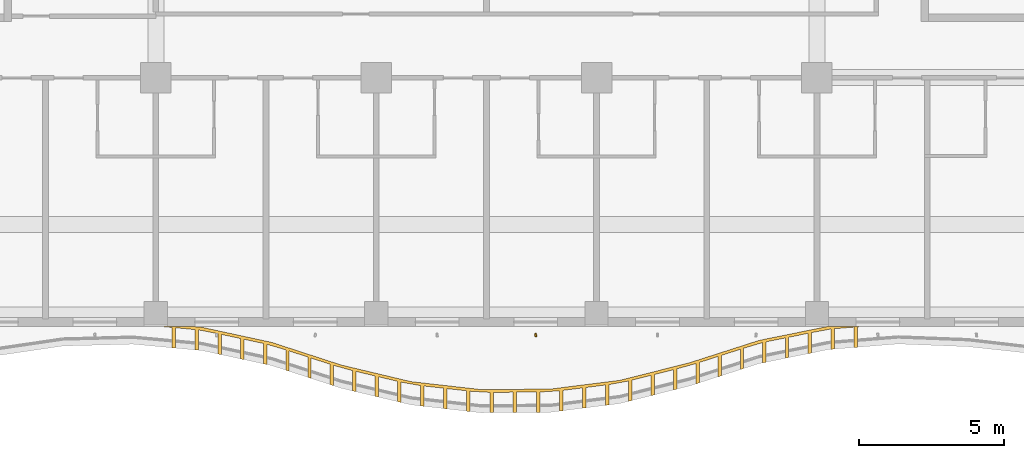
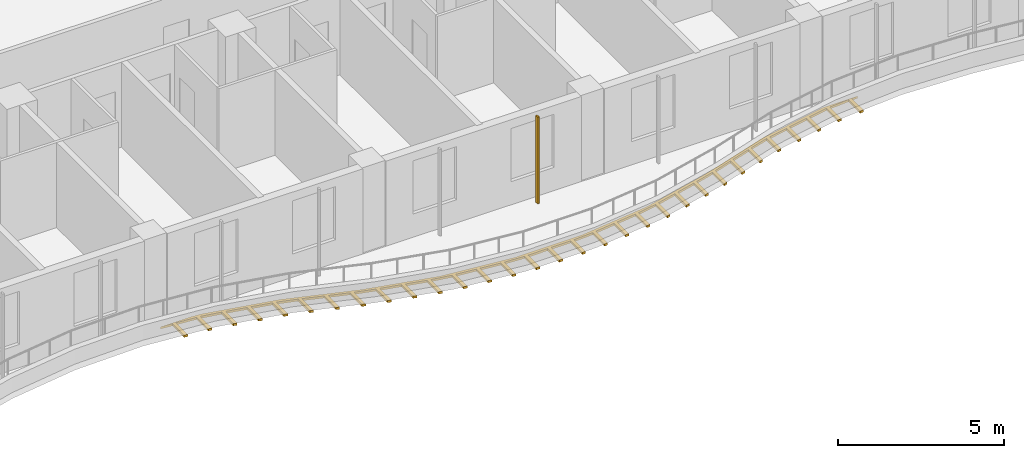
# One storey, part 16 of 22: 2 shading devices.
"""IFC4 building model written with IfcOpenShell, lengths in metres."""

from ifc_helpers import new_model, si_unit, direction, frame, origin, origin_2d, place, context, subcontext, project, spatial, polyline, rectangle, outline, extrude, source, transform, mapped, material, layer, layer_set, material_profile, profile_set, type_object, element, save


model = new_model("IFC4")

# Units and contexts
model_context = context("Model", 3, precision=1e-05, world=origin(), true_north=direction((0.0, 1.0)))
body_context = subcontext(model_context, "Body", "Model", "MODEL_VIEW")
ifc_project = project(units=[si_unit("LENGTHUNIT", "METRE"), si_unit("AREAUNIT", "SQUARE_METRE"), si_unit("VOLUMEUNIT", "CUBIC_METRE"), si_unit("PLANEANGLEUNIT", "RADIAN"), si_unit("MASSUNIT", "GRAM", prefix="KILO")], contexts=[model_context])

# Site, building, storey
site_placement = place(None, origin())
site = spatial("IfcSite", under=ifc_project, at=site_placement, CompositionType="ELEMENT")
building_placement = place(site_placement, origin())
building = spatial("IfcBuilding", under=site, at=building_placement, Name="Kilnfold Tower and Market Hall", CompositionType="ELEMENT")
storey_placement = place(building_placement, frame((0.0, 0.0, 171.89990234375)))
storey = spatial("IfcBuildingStorey", under=building, at=storey_placement, Name="L40", CompositionType="ELEMENT", Elevation=171.89990234375)

# Shading devices
ifc_material_1 = material(Name="Terracotta", Category="masonry")
ifc_material_profile = material_profile(ifc_material_1, rectangle(XDim=0.06005859375, YDim=0.1201171875, at=origin_2d()), Name="BAG 60x120")
ifc_profile_set = profile_set([ifc_material_profile], Name="Terracotta")
shading_device_type_1 = type_object("IfcShadingDeviceType", Name="BAGUETTE", PredefinedType="USERDEFINED", material=ifc_profile_set)
shared_shape_1 = source(origin(), body_context, "Body", "SweptSolid", [
    extrude(rectangle(XDim=0.06005859375, YDim=0.1201171875, at=origin_2d()), origin(), (0.0, 0.0, 1.0), 3.18017578125),
])
shading_device_1_placement = place(storey_placement, frame((4.4873046875, -26.550048828125, 0.0), z_axis=(0.0, 0.0, 1.0), x_axis=(0.990678783999, 0.136218746634, 0.0)))
element("IfcShadingDevice", 1, at=shading_device_1_placement, inside=storey, type_object=shading_device_type_1, Name="Terracotta baguette L40 S", ObjectType="BAGUETTE", PredefinedType="USERDEFINED", context=body_context, shape_type="MappedRepresentation", body=[
    mapped(shared_shape_1, transform((0.0, 0.0, 0.0))),
])
ifc_material_2 = material(Name="Bronze anodised aluminium", Category="aluminium")
ifc_layer = layer(ifc_material_2, 0.080078125)
ifc_layer_set = layer_set([ifc_layer], Name="Bronze anodised aluminium")
shading_device_type_2 = type_object("IfcShadingDeviceType", Name="BRONZE SLAT SOFFIT 80", PredefinedType="USERDEFINED", material=ifc_layer_set)
shared_shape_2 = source(origin(), body_context, "Body", "SweptSolid", [
    extrude(outline(polyline([(-6.98681640625, -26.28271484375), (-4.592041015625, -26.80029296875), (-2.197509765625, -27.57958984375), (0.197509765625, -28.14990234375), (2.592041015625, -28.42138671875), (4.98681640625, -28.406494140625), (7.381591796875, -28.1044921875), (9.7763671875, -27.501708984375), (12.171142578125, -26.73193359375), (14.546630859375, -26.25), (15.764892578125, -26.25), (15.562255859375, -26.26611328125), (15.562255859375, -26.96630859375), (15.442626953125, -26.975830078125), (15.442626953125, -26.27587890625), (14.764892578125, -26.330078125), (14.764892578125, -27.0302734375), (14.645263671875, -27.039794921875), (14.645263671875, -26.339599609375), (13.977294921875, -26.465576171875), (13.977294921875, -27.16552734375), (13.85986328125, -27.189208984375), (13.85986328125, -26.4892578125), (13.193359375, -26.62451171875), (13.193359375, -27.324462890625), (13.07568359375, -27.348388671875), (13.07568359375, -26.6484375), (12.409423828125, -26.78369140625), (12.409423828125, -27.483642578125), (12.291748046875, -27.50732421875), (12.291748046875, -26.807373046875), (11.640869140625, -27.002197265625), (11.640869140625, -27.702392578125), (11.526611328125, -27.739013671875), (11.526611328125, -27.0390625), (10.87939453125, -27.2470703125), (10.87939453125, -27.947021484375), (10.76513671875, -27.98388671875), (10.76513671875, -27.283935546875), (10.11767578125, -27.491943359375), (10.11767578125, -28.19189453125), (10.00341796875, -28.228759765625), (10.00341796875, -27.52880859375), (9.348388671875, -27.70947265625), (9.348388671875, -28.409423828125), (9.23193359375, -28.438720703125), (9.23193359375, -27.73876953125), (8.572509765625, -27.90478515625), (8.572509765625, -28.604736328125), (8.4560546875, -28.634033203125), (8.4560546875, -27.93408203125), (7.796630859375, -28.10009765625), (7.796630859375, -28.800048828125), (7.680419921875, -28.829345703125), (7.680419921875, -28.12939453125), (7.012451171875, -28.251220703125), (7.012451171875, -28.951171875), (6.8935546875, -28.966064453125), (6.8935546875, -28.26611328125), (6.21875, -28.351318359375), (6.21875, -29.05126953125), (6.099853515625, -29.066162109375), (6.099853515625, -28.3662109375), (5.425048828125, -28.451416015625), (5.425048828125, -29.1513671875), (5.30615234375, -29.166259765625), (5.30615234375, -28.46630859375), (4.628662109375, -28.5087890625), (4.628662109375, -29.208740234375), (4.508544921875, -29.209716796875), (4.508544921875, -28.509521484375), (3.82861328125, -28.513916015625), (3.82861328125, -29.2138671875), (3.70849609375, -29.214599609375), (3.70849609375, -28.5146484375), (3.028564453125, -28.518798828125), (3.028564453125, -29.21875), (2.90869140625, -29.219482421875), (2.90869140625, -28.51953125), (2.23095703125, -28.48046875), (2.23095703125, -29.180419921875), (2.11181640625, -29.1669921875), (2.11181640625, -28.467041015625), (1.43603515625, -28.390380859375), (1.43603515625, -29.09033203125), (1.31689453125, -29.076904296875), (1.31689453125, -28.376708984375), (0.64111328125, -28.300048828125), (0.64111328125, -29.0), (0.52197265625, -28.986572265625), (0.52197265625, -28.28662109375), (-0.146484375, -28.16796875), (-0.146484375, -28.867919921875), (-0.26318359375, -28.840087890625), (-0.26318359375, -28.14013671875), (-0.924560546875, -27.982666015625), (-0.924560546875, -28.6826171875), (-1.04150390625, -28.65478515625), (-1.04150390625, -27.954833984375), (-1.702880859375, -27.79736328125), (-1.702880859375, -28.497314453125), (-1.819580078125, -28.469482421875), (-1.819580078125, -27.76953125), (-2.474609375, -27.58935546875), (-2.474609375, -28.289306640625), (-2.5888671875, -28.252197265625), (-2.5888671875, -27.55224609375), (-3.235595703125, -27.341796875), (-3.235595703125, -28.041748046875), (-3.349609375, -28.004638671875), (-3.349609375, -27.3046875), (-3.99609375, -27.09423828125), (-3.99609375, -27.794189453125), (-4.1103515625, -27.757080078125), (-4.1103515625, -27.05712890625), (-4.76171875, -26.86376953125), (-4.76171875, -27.563720703125), (-4.87890625, -27.538330078125), (-4.87890625, -26.83837890625), (-5.54345703125, -26.69482421875), (-5.54345703125, -27.394775390625), (-5.660888671875, -27.369384765625), (-5.660888671875, -26.66943359375), (-6.325439453125, -26.525634765625), (-6.325439453125, -27.2255859375), (-6.442626953125, -27.200439453125), (-6.442626953125, -26.50048828125), (-7.109619140625, -26.371337890625), (-7.109619140625, -27.0712890625), (-7.22900390625, -27.060302734375), (-7.22900390625, -26.3603515625), (-7.90625, -26.297607421875), (-7.90625, -26.99755859375), (-8.025634765625, -26.986572265625), (-8.025634765625, -26.28662109375), (-8.41943359375, -26.25), (-7.340576171875, -26.25), (-6.98681640625, -26.28271484375)])), origin(), (0.0, 0.0, 1.0), 0.079833984375),
])
shading_device_2_placement = place(storey_placement, frame((0.0, 0.0, -0.2998046875)))
element("IfcShadingDevice", 2, at=shading_device_2_placement, inside=storey, type_object=shading_device_type_2, Name="Balcony soffit slats L40", ObjectType="SLAT", PredefinedType="USERDEFINED", context=body_context, shape_type="MappedRepresentation", body=[
    mapped(shared_shape_2, transform((0.0, 0.0, 0.0))),
])

save(model, "model.ifc")
